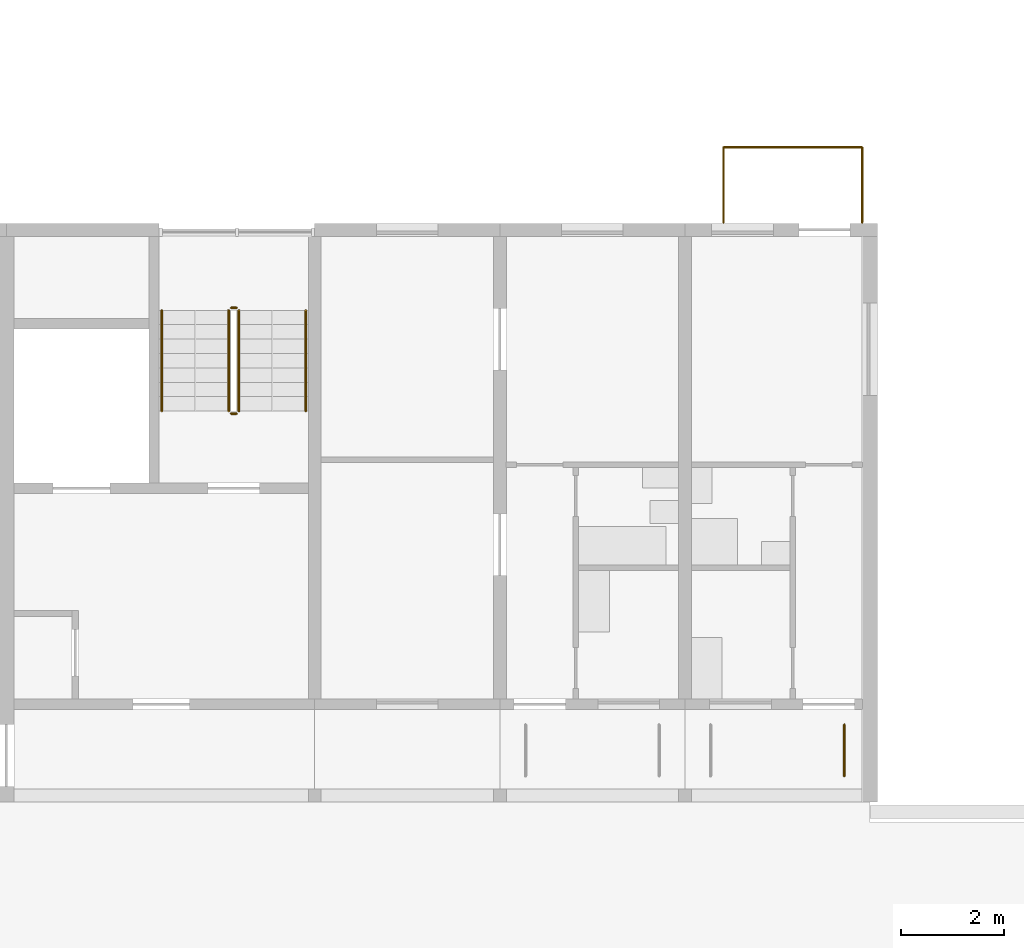
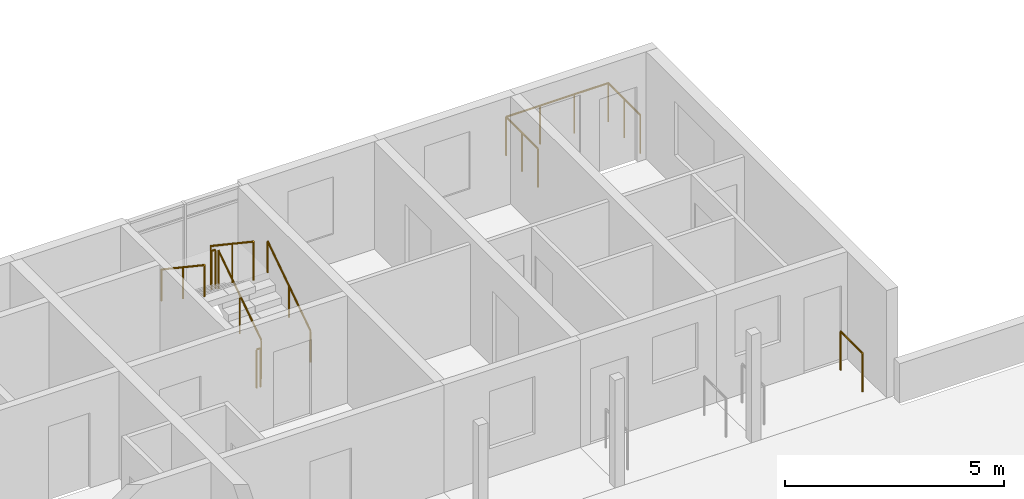
# One storey, part 97 of 115: 8 railings.
"""IFC4 building model written with IfcOpenShell, lengths in metres."""

from ifc_helpers import new_model, si_unit, direction, frame, origin, origin_2d, place, context, subcontext, project, spatial, circle, extrude, material, type_object, element, save


model = new_model("IFC4")

# Units and contexts
model_context = context("Model", 3, precision=1e-05, world=origin(), true_north=direction((0.0, 1.0)))
body_context = subcontext(model_context, "Body", "Model", "MODEL_VIEW")
ifc_project = project(units=[si_unit("LENGTHUNIT", "METRE"), si_unit("AREAUNIT", "SQUARE_METRE"), si_unit("VOLUMEUNIT", "CUBIC_METRE"), si_unit("PLANEANGLEUNIT", "RADIAN"), si_unit("MASSUNIT", "GRAM", prefix="KILO")], contexts=[model_context])

# Site, building, storey
site_placement = place(None, origin())
site = spatial("IfcSite", under=ifc_project, at=site_placement, CompositionType="ELEMENT")
building_placement = place(site_placement, origin())
building = spatial("IfcBuilding", under=site, at=building_placement, Name="Ridgestep Commons", CompositionType="ELEMENT")
storey_placement = place(building_placement, frame((0.0, 0.0, 6.0)))
storey = spatial("IfcBuildingStorey", under=building, at=storey_placement, Name="L02", CompositionType="ELEMENT", Elevation=6.0)

# Railings
ifc_material_1 = material(Name="Structural steel S355JR", Category="steel")
railing_type_1 = type_object("IfcRailingType", Name="Guard 1100", PredefinedType="GUARDRAIL", material=ifc_material_1)
railing_1_placement = place(storey_placement, frame((112.300048828125, 12.25, 0.0)))
element("IfcRailing", 1, at=railing_1_placement, inside=storey, type_object=railing_type_1, Name="Gallery side guard A 02.24E", PredefinedType="GUARDRAIL", context=body_context, shape_type="SweptSolid", body=[
    extrude(circle(Radius=0.02392578125, at=origin_2d()), frame((0.0, 0.0, 1.076171875), z_axis=(0.0, 1.0, 0.0), x_axis=(-1.0, 0.0, 0.0)), (0.0, 0.0, 1.0), 1.0),
    extrude(circle(Radius=0.02099609375, at=origin_2d()), origin(), (0.0, 0.0, 1.0), 1.052001953125),
    extrude(circle(Radius=0.02099609375, at=origin_2d()), frame((0.0, 1.0, 0.0)), (0.0, 0.0, 1.0), 1.052001953125),
])
ifc_material_2 = material(Name="Structural steel S355JR", Category="steel")
railing_type_2 = type_object("IfcRailingType", Name="Stair guard 1100", PredefinedType="GUARDRAIL", material=ifc_material_2)
railing_2_placement = place(storey_placement, frame((100.52490234375, 19.35009765625, 0.1875)))
element("IfcRailing", 2, at=railing_2_placement, inside=storey, type_object=railing_type_2, Name="L02 A6C stair guard 1", PredefinedType="GUARDRAIL", context=body_context, shape_type="SweptSolid", body=[
    extrude(circle(Radius=0.02392578125, at=origin_2d()), frame((0.0, 0.0, 1.076171875), z_axis=(0.0, 0.830902050051, 0.556418712142), x_axis=(-1.0, 0.0, 0.0)), (0.0, 0.0, 1.0), 2.35888671875),
    extrude(circle(Radius=0.02099609375, at=origin_2d()), origin(), (0.0, 0.0, 1.0), 1.052001953125),
    extrude(circle(Radius=0.02099609375, at=origin_2d()), frame((0.0, 0.97998046875, 0.65625)), (0.0, 0.0, 1.0), 1.052001953125),
    extrude(circle(Radius=0.02099609375, at=origin_2d()), frame((0.0, 1.9599609375, 1.3125)), (0.0, 0.0, 1.0), 1.052001953125),
])
railing_3_placement = place(storey_placement, frame((100.47509765625, 21.360107421875, 1.5)))
element("IfcRailing", 3, at=railing_3_placement, inside=storey, type_object=railing_type_2, Name="L02 A6C stair guard 2", PredefinedType="GUARDRAIL", context=body_context, shape_type="SweptSolid", body=[
    extrude(circle(Radius=0.02392578125, at=origin_2d()), frame((0.0, 0.0, 1.076171875), z_axis=(-1.0, 0.0, 0.0), x_axis=(0.0, -1.0, 0.0)), (0.0, 0.0, 1.0), 0.10009765625),
    extrude(circle(Radius=0.02099609375, at=origin_2d()), origin(), (0.0, 0.0, 1.0), 1.052001953125),
    extrude(circle(Radius=0.02099609375, at=origin_2d()), frame((-0.10009765625, 0.0, 0.0)), (0.0, 0.0, 1.0), 1.052001953125),
])
railing_4_placement = place(storey_placement, frame((100.324951171875, 21.31005859375, 1.6875)))
element("IfcRailing", 4, at=railing_4_placement, inside=storey, type_object=railing_type_2, Name="L02 A6C stair guard 3", PredefinedType="GUARDRAIL", context=body_context, shape_type="SweptSolid", body=[
    extrude(circle(Radius=0.02392578125, at=origin_2d()), frame((0.0, 0.0, 1.076171875), z_axis=(0.0, -0.830902050051, 0.556418712142), x_axis=(1.0, 0.0, 0.0)), (0.0, 0.0, 1.0), 2.35888671875),
    extrude(circle(Radius=0.02099609375, at=origin_2d()), origin(), (0.0, 0.0, 1.0), 1.052001953125),
    extrude(circle(Radius=0.02099609375, at=origin_2d()), frame((0.0, -0.97998046875, 0.65625)), (0.0, 0.0, 1.0), 1.052001953125),
    extrude(circle(Radius=0.02099609375, at=origin_2d()), frame((0.0, -1.9599609375, 1.3125)), (0.0, 0.0, 1.0), 1.052001953125),
])
railing_5_placement = place(storey_placement, frame((100.47509765625, 19.300048828125, 0.0)))
element("IfcRailing", 5, at=railing_5_placement, inside=storey, type_object=railing_type_2, Name="L02 A6C stair guard 4", PredefinedType="GUARDRAIL", context=body_context, shape_type="SweptSolid", body=[
    extrude(circle(Radius=0.02392578125, at=origin_2d()), frame((0.0, 0.0, 1.076171875), z_axis=(-1.0, 0.0, 0.0), x_axis=(0.0, -1.0, 0.0)), (0.0, 0.0, 1.0), 0.10009765625),
    extrude(circle(Radius=0.02099609375, at=origin_2d()), origin(), (0.0, 0.0, 1.0), 1.052001953125),
    extrude(circle(Radius=0.02099609375, at=origin_2d()), frame((-0.10009765625, 0.0, 0.0)), (0.0, 0.0, 1.0), 1.052001953125),
])
ifc_material_3 = material(Name="Structural steel S355JR", Category="steel")
railing_type_3 = type_object("IfcRailingType", Name="Stair handrail 900", PredefinedType="HANDRAIL", material=ifc_material_3)
railing_6_placement = place(storey_placement, frame((101.824951171875, 19.35009765625, 0.1875)))
element("IfcRailing", 6, at=railing_6_placement, inside=storey, type_object=railing_type_3, Name="L02 A6C stair handrail 1", PredefinedType="HANDRAIL", context=body_context, shape_type="SweptSolid", body=[
    extrude(circle(Radius=0.02392578125, at=origin_2d()), frame((0.0, 0.0, 0.8759765625), z_axis=(0.0, 0.830902050051, 0.556418712142), x_axis=(-1.0, 0.0, 0.0)), (0.0, 0.0, 1.0), 2.35888671875),
    extrude(circle(Radius=0.02099609375, at=origin_2d()), origin(), (0.0, 0.0, 1.0), 0.851806640625),
    extrude(circle(Radius=0.02099609375, at=origin_2d()), frame((0.0, 0.97998046875, 0.65625)), (0.0, 0.0, 1.0), 0.851806640625),
    extrude(circle(Radius=0.02099609375, at=origin_2d()), frame((0.0, 1.9599609375, 1.3125)), (0.0, 0.0, 1.0), 0.851806640625),
])
railing_7_placement = place(storey_placement, frame((99.02490234375, 21.31005859375, 1.6875)))
element("IfcRailing", 7, at=railing_7_placement, inside=storey, type_object=railing_type_3, Name="L02 A6C stair handrail 2", PredefinedType="HANDRAIL", context=body_context, shape_type="SweptSolid", body=[
    extrude(circle(Radius=0.02392578125, at=origin_2d()), frame((0.0, 0.0, 0.8759765625), z_axis=(0.0, -0.830902050051, 0.556418712142), x_axis=(1.0, 0.0, 0.0)), (0.0, 0.0, 1.0), 2.35888671875),
    extrude(circle(Radius=0.02099609375, at=origin_2d()), origin(), (0.0, 0.0, 1.0), 0.851806640625),
    extrude(circle(Radius=0.02099609375, at=origin_2d()), frame((0.0, -0.97998046875, 0.65625)), (0.0, 0.0, 1.0), 0.851806640625),
    extrude(circle(Radius=0.02099609375, at=origin_2d()), frame((0.0, -1.9599609375, 1.3125)), (0.0, 0.0, 1.0), 0.851806640625),
])
ifc_material_4 = material(Name="Weathering steel S355J2W", Category="steel")
railing_type_4 = type_object("IfcRailingType", Name="Tray guard 1100", PredefinedType="GUARDRAIL", material=ifc_material_4)
railing_8_placement = place(storey_placement, frame((109.950927734375, 23.02099609375, 0.0)))
element("IfcRailing", 8, at=railing_8_placement, inside=storey, type_object=railing_type_4, Name="Tray guard A6T1-02", PredefinedType="GUARDRAIL", context=body_context, shape_type="SweptSolid", body=[
    extrude(circle(Radius=0.02392578125, at=origin_2d()), frame((0.0, 0.0, 1.076171875), z_axis=(0.0, 1.0, 0.0), x_axis=(-1.0, 0.0, 0.0)), (0.0, 0.0, 1.0), 1.4580078125),
    extrude(circle(Radius=0.02392578125, at=origin_2d()), frame((0.0, 1.4580078125, 1.076171875), z_axis=(1.0, 0.0, 0.0), x_axis=(0.0, 1.0, 0.0)), (0.0, 0.0, 1.0), 2.697998046875),
    extrude(circle(Radius=0.02392578125, at=origin_2d()), frame((2.697998046875, 1.4580078125, 1.076171875), z_axis=(0.0, -1.0, 0.0), x_axis=(1.0, 0.0, 0.0)), (0.0, 0.0, 1.0), 1.4580078125),
    extrude(circle(Radius=0.02099609375, at=origin_2d()), origin(), (0.0, 0.0, 1.0), 1.052001953125),
    extrude(circle(Radius=0.02099609375, at=origin_2d()), frame((0.0, 0.72900390625, 0.0)), (0.0, 0.0, 1.0), 1.052001953125),
    extrude(circle(Radius=0.02099609375, at=origin_2d()), frame((0.0, 1.4580078125, 0.0)), (0.0, 0.0, 1.0), 1.052001953125),
    extrude(circle(Radius=0.02099609375, at=origin_2d()), frame((0.8994140625, 1.4580078125, 0.0)), (0.0, 0.0, 1.0), 1.052001953125),
    extrude(circle(Radius=0.02099609375, at=origin_2d()), frame((1.798583984375, 1.4580078125, 0.0)), (0.0, 0.0, 1.0), 1.052001953125),
    extrude(circle(Radius=0.02099609375, at=origin_2d()), frame((2.697998046875, 1.4580078125, 0.0)), (0.0, 0.0, 1.0), 1.052001953125),
    extrude(circle(Radius=0.02099609375, at=origin_2d()), frame((2.697998046875, 0.72900390625, 0.0)), (0.0, 0.0, 1.0), 1.052001953125),
    extrude(circle(Radius=0.02099609375, at=origin_2d()), frame((2.697998046875, 0.0, 0.0)), (0.0, 0.0, 1.0), 1.052001953125),
])

save(model, "model.ifc")
